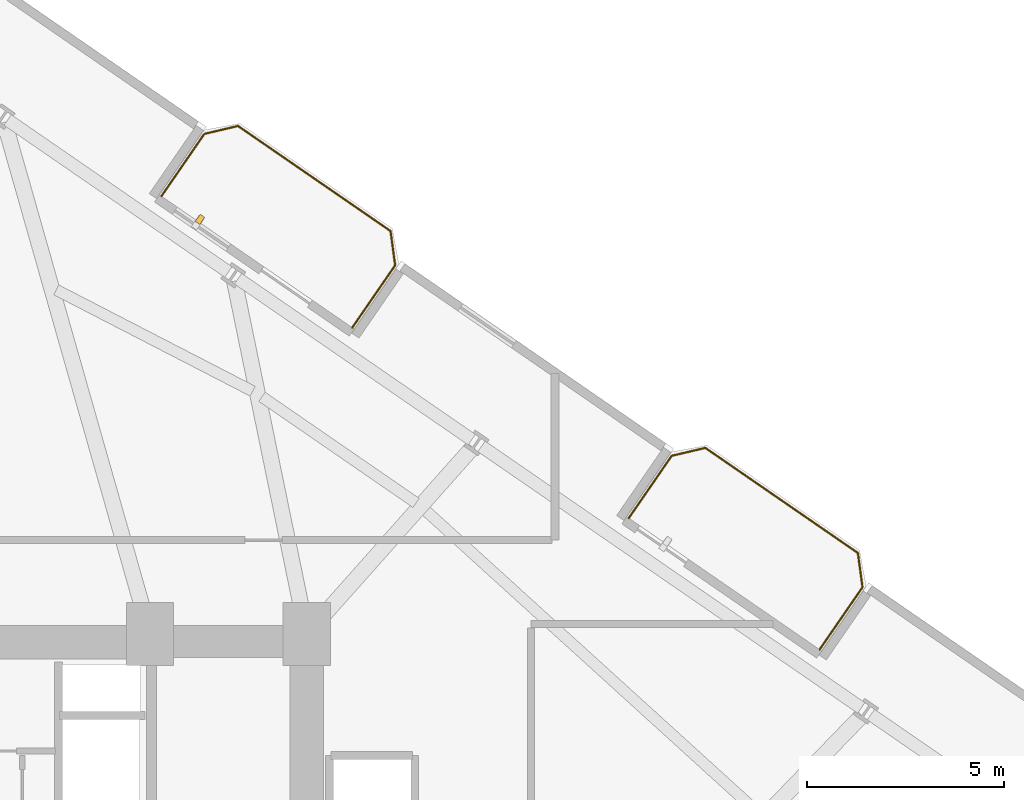
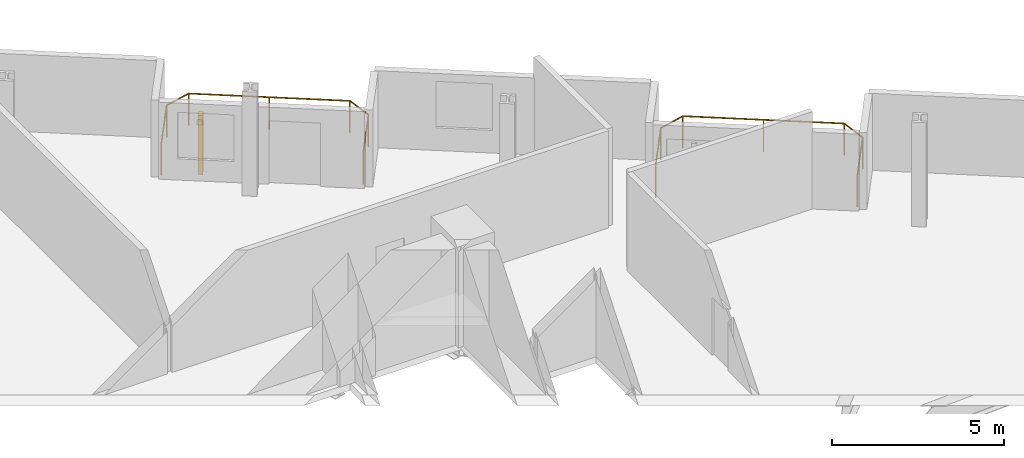
# One storey, part 26 of 26: 2 railings, 1 shading device.
"""IFC4 building model written with IfcOpenShell, lengths in metres."""

from ifc_helpers import new_model, si_unit, direction, frame, origin, origin_2d, place, context, subcontext, project, spatial, rectangle, circle, extrude, source, transform, mapped, material, type_object, element, save


model = new_model("IFC4")

# Units and contexts
model_context = context("Model", 3, precision=1e-05, world=origin(), true_north=direction((0.0, 1.0)))
body_context = subcontext(model_context, "Body", "Model", "MODEL_VIEW")
ifc_project = project(units=[si_unit("LENGTHUNIT", "METRE"), si_unit("AREAUNIT", "SQUARE_METRE"), si_unit("VOLUMEUNIT", "CUBIC_METRE"), si_unit("PLANEANGLEUNIT", "RADIAN"), si_unit("MASSUNIT", "GRAM", prefix="KILO")], contexts=[model_context])

# Site, building, storey
site_placement = place(None, origin())
site = spatial("IfcSite", under=ifc_project, at=site_placement, CompositionType="ELEMENT")
building_placement = place(site_placement, origin())
building = spatial("IfcBuilding", under=site, at=building_placement, Name="Varnelok Gate Tower", CompositionType="ELEMENT")
storey_placement = place(building_placement, frame((0.0, 0.0, 45.5)))
storey = spatial("IfcBuildingStorey", under=building, at=storey_placement, Name="L10", CompositionType="ELEMENT", Elevation=45.5)

# Railings
ifc_material_1 = material(Name="Low-E Laminated Double Glazing IGU", Category="glass")
railing_type = type_object("IfcRailingType", Name="RL-BALC-1150", PredefinedType="BALUSTRADE", material=ifc_material_1)
railing_1_placement = place(storey_placement, frame((44.010009765625, 50.158203125, 0.0)))
element("IfcRailing", 1, at=railing_1_placement, inside=storey, type_object=railing_type, Name="L10 North Terrace Balustrade 3", PredefinedType="BALUSTRADE", context=body_context, shape_type="SweptSolid", body=[
    extrude(circle(Radius=0.02392578125, at=origin_2d()), frame((0.0, 0.0, 1.1259765625), z_axis=(0.567284155424, 0.82352212296, 0.0), x_axis=(-0.82352212296, 0.567284155424, 0.0)), (0.0, 0.0, 1.0), 1.919921875),
    extrude(circle(Radius=0.02392578125, at=origin_2d()), frame((1.089111328125, 1.5810546875, 1.1259765625), z_axis=(0.973526462254, 0.228574336467, 0.0), x_axis=(-0.228574336467, 0.973526462254, 0.0)), (0.0, 0.0, 1.0), 0.8779296875),
    extrude(circle(Radius=0.02392578125, at=origin_2d()), frame((1.94384765625, 1.78173828125, 1.1259765625), z_axis=(0.823523239622, -0.567282534371, 0.0), x_axis=(0.567282534371, 0.823523239622, 0.0)), (0.0, 0.0, 1.0), 4.699951171875),
    extrude(circle(Radius=0.02392578125, at=origin_2d()), frame((5.814453125, -0.884521484375, 1.1259765625), z_axis=(0.133238627421, -0.991083986433, 0.0), x_axis=(0.991083986433, 0.133238627421, 0.0)), (0.0, 0.0, 1.0), 0.877685546875),
    extrude(circle(Radius=0.02392578125, at=origin_2d()), frame((5.931396484375, -1.75439453125, 1.1259765625), z_axis=(-0.567224752248, -0.823563039747, 0.0), x_axis=(0.823563039747, -0.567224752248, 0.0)), (0.0, 0.0, 1.0), 1.920166015625),
    extrude(circle(Radius=0.02099609375, at=origin_2d()), origin(), (0.0, 0.0, 1.0), 1.101806640625),
    extrude(circle(Radius=0.02099609375, at=origin_2d()), frame((1.089111328125, 1.5810546875, 0.0)), (0.0, 0.0, 1.0), 1.101806640625),
    extrude(circle(Radius=0.02099609375, at=origin_2d()), frame((1.94384765625, 1.78173828125, 0.0)), (0.0, 0.0, 1.0), 1.101806640625),
    extrude(circle(Radius=0.02099609375, at=origin_2d()), frame((3.879150390625, 0.44873046875, 0.0)), (0.0, 0.0, 1.0), 1.101806640625),
    extrude(circle(Radius=0.02099609375, at=origin_2d()), frame((5.814453125, -0.884521484375, 0.0)), (0.0, 0.0, 1.0), 1.101806640625),
    extrude(circle(Radius=0.02099609375, at=origin_2d()), frame((5.931396484375, -1.75439453125, 0.0)), (0.0, 0.0, 1.0), 1.101806640625),
    extrude(circle(Radius=0.02099609375, at=origin_2d()), frame((4.84228515625, -3.335693359375, 0.0)), (0.0, 0.0, 1.0), 1.101806640625),
])
railing_2_placement = place(storey_placement, frame((55.868896484375, 41.989501953125, 0.0)))
element("IfcRailing", 2, at=railing_2_placement, inside=storey, type_object=railing_type, Name="L10 North Terrace Balustrade 4", PredefinedType="BALUSTRADE", context=body_context, shape_type="SweptSolid", body=[
    extrude(circle(Radius=0.02392578125, at=origin_2d()), frame((0.0, 0.0, 1.1259765625), z_axis=(0.567284155424, 0.82352212296, 0.0), x_axis=(-0.82352212296, 0.567284155424, 0.0)), (0.0, 0.0, 1.0), 1.919921875),
    extrude(circle(Radius=0.02392578125, at=origin_2d()), frame((1.089111328125, 1.5810546875, 1.1259765625), z_axis=(0.973526462254, 0.228574336467, 0.0), x_axis=(-0.228574336467, 0.973526462254, 0.0)), (0.0, 0.0, 1.0), 0.8779296875),
    extrude(circle(Radius=0.02392578125, at=origin_2d()), frame((1.94384765625, 1.78173828125, 1.1259765625), z_axis=(0.823523239622, -0.567282534371, 0.0), x_axis=(0.567282534371, 0.823523239622, 0.0)), (0.0, 0.0, 1.0), 4.699951171875),
    extrude(circle(Radius=0.02392578125, at=origin_2d()), frame((5.814453125, -0.884521484375, 1.1259765625), z_axis=(0.133238627421, -0.991083986433, 0.0), x_axis=(0.991083986433, 0.133238627421, 0.0)), (0.0, 0.0, 1.0), 0.877685546875),
    extrude(circle(Radius=0.02392578125, at=origin_2d()), frame((5.931396484375, -1.75439453125, 1.1259765625), z_axis=(-0.567224752248, -0.823563039747, 0.0), x_axis=(0.823563039747, -0.567224752248, 0.0)), (0.0, 0.0, 1.0), 1.920166015625),
    extrude(circle(Radius=0.02099609375, at=origin_2d()), origin(), (0.0, 0.0, 1.0), 1.101806640625),
    extrude(circle(Radius=0.02099609375, at=origin_2d()), frame((1.089111328125, 1.5810546875, 0.0)), (0.0, 0.0, 1.0), 1.101806640625),
    extrude(circle(Radius=0.02099609375, at=origin_2d()), frame((1.94384765625, 1.78173828125, 0.0)), (0.0, 0.0, 1.0), 1.101806640625),
    extrude(circle(Radius=0.02099609375, at=origin_2d()), frame((3.879150390625, 0.44873046875, 0.0)), (0.0, 0.0, 1.0), 1.101806640625),
    extrude(circle(Radius=0.02099609375, at=origin_2d()), frame((5.814453125, -0.884521484375, 0.0)), (0.0, 0.0, 1.0), 1.101806640625),
    extrude(circle(Radius=0.02099609375, at=origin_2d()), frame((5.931396484375, -1.75439453125, 0.0)), (0.0, 0.0, 1.0), 1.101806640625),
    extrude(circle(Radius=0.02099609375, at=origin_2d()), frame((4.84228515625, -3.335693359375, 0.0)), (0.0, 0.0, 1.0), 1.101806640625),
])

# Shading device
ifc_material_2 = material(Name="Glazed Architectural Terracotta Ceramic", Category="masonry")
shading_device_type = type_object("IfcShadingDeviceType", Name="SHD-TERRA-BAGUETTE", PredefinedType="USERDEFINED", material=ifc_material_2)
shared_shape = source(origin(), body_context, "Body", "SweptSolid", [
    extrude(rectangle(XDim=0.139892578125, YDim=0.219970703125, at=origin_2d()), origin(), (0.0, 0.0, 1.0), 2.10009765625),
])
shading_device_placement = place(storey_placement, frame((44.988525390625, 49.569091796875, 0.099853515625), z_axis=(0.0, 0.0, 1.0), x_axis=(0.823532597628, -0.567268949127, 0.0)))
element("IfcShadingDevice", 3, at=shading_device_placement, inside=storey, type_object=shading_device_type, Name="L10 Terracotta Ceramic Baguette Sunscreen 3.1", ObjectType="BAGUETTE", PredefinedType="USERDEFINED", context=body_context, shape_type="MappedRepresentation", body=[
    mapped(shared_shape, transform((0.0, 0.0, 0.0), scale=1.0)),
])

save(model, "model.ifc")
